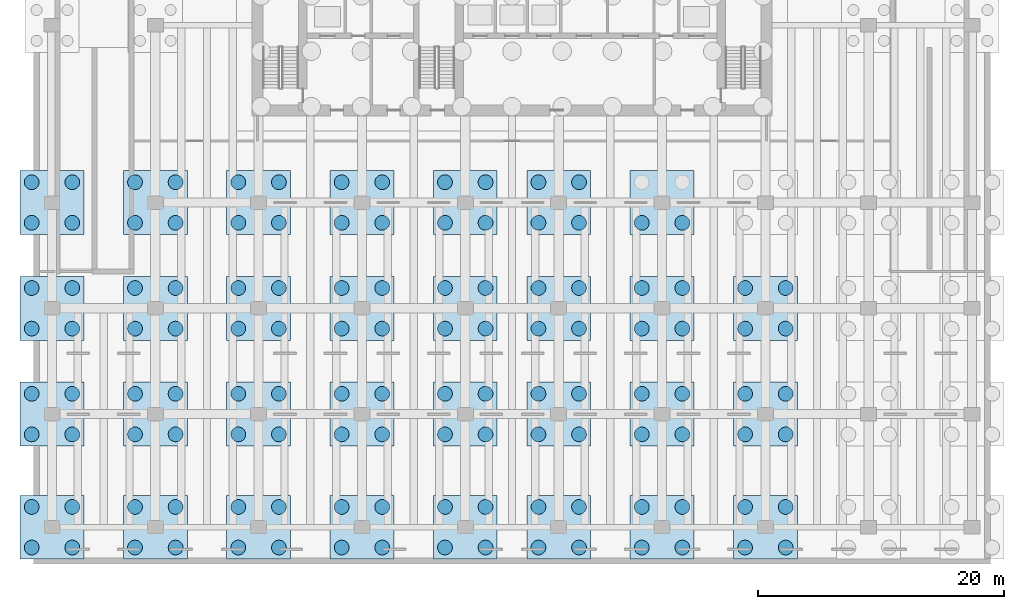
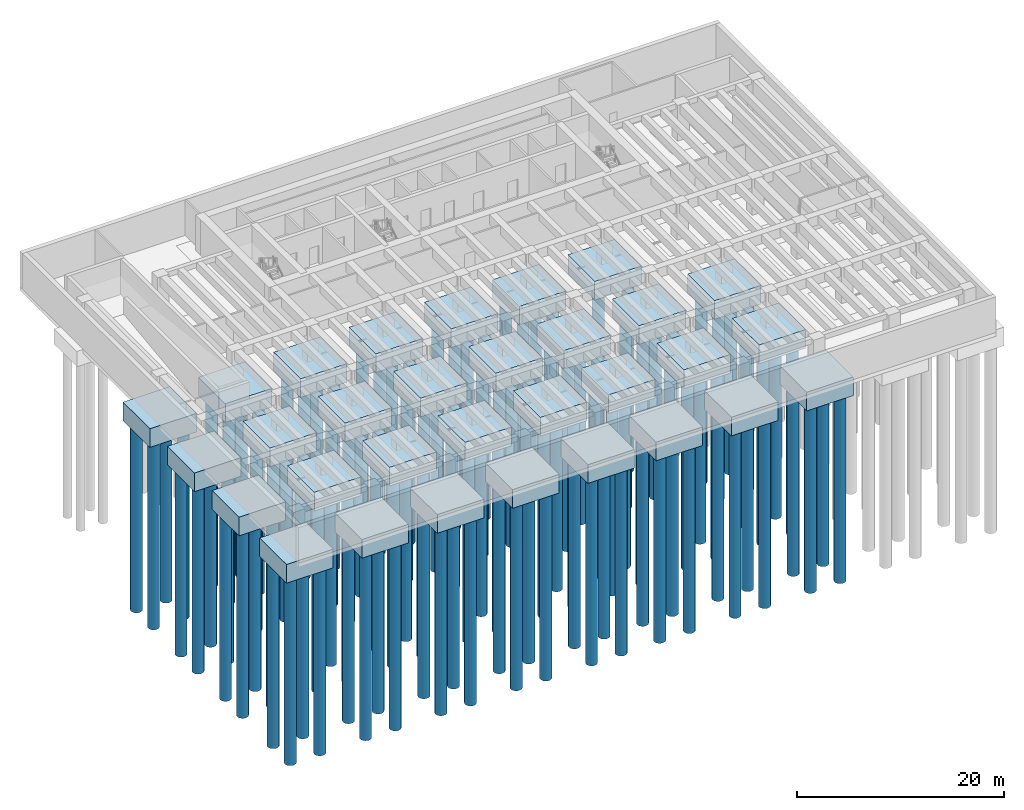
# One storey, part 1 of 10: 122 piles, 31 footings.
"""IFC4 building model written with IfcOpenShell, lengths in metres."""

from ifc_helpers import new_model, si_unit, direction, frame, origin, origin_2d, place, context, subcontext, project, spatial, polyline, circle, outline, extrude, material, material_profile, profile_set, type_object, element, save


model = new_model("IFC4")

# Units and contexts
model_context = context("Model", 3, precision=1e-05, world=origin(), true_north=direction((0.0, 1.0)))
body_context = subcontext(model_context, "Body", "Model", "MODEL_VIEW")
ifc_project = project(units=[si_unit("LENGTHUNIT", "METRE"), si_unit("AREAUNIT", "SQUARE_METRE"), si_unit("VOLUMEUNIT", "CUBIC_METRE"), si_unit("PLANEANGLEUNIT", "RADIAN"), si_unit("MASSUNIT", "GRAM", prefix="KILO")], contexts=[model_context])

# Site, building, storey
site_placement = place(None, origin())
site = spatial("IfcSite", under=ifc_project, at=site_placement, CompositionType="ELEMENT")
building_placement = place(site_placement, origin())
building = spatial("IfcBuilding", under=site, at=building_placement, Name="Caelmar Bay Residences", CompositionType="ELEMENT")
storey_placement = place(building_placement, frame((0.0, 0.0, -9.0)))
storey = spatial("IfcBuildingStorey", under=building, at=storey_placement, Name="B02", CompositionType="ELEMENT", Elevation=-9.0)

# Footings
ifc_material_1 = material(Name="Concrete f'c 40 MPa (6,000 psi)", Category="concrete")
footing_type = type_object("IfcFootingType", Name="FC-PC2-2200", PredefinedType="PILE_CAP", material=ifc_material_1)
footing_1_placement = place(storey_placement, frame((0.0, 0.0, -2.199951171875)))
element("IfcFooting", 1, at=footing_1_placement, inside=storey, type_object=footing_type, Name="Reinforced concrete pile cap CAP-B01", PredefinedType="PILE_CAP", context=body_context, shape_type="SweptSolid", body=[
    extrude(outline(polyline([(-1.10009765625, 0.39990234375), (4.10009765625, 0.39990234375), (4.10009765625, 5.60009765625), (-1.10009765625, 5.60009765625), (-1.10009765625, 0.39990234375)])), origin(), (0.0, 0.0, 1.0), 2.199951171875),
])
footing_2_placement = place(storey_placement, frame((0.0, 0.0, -2.199951171875)))
element("IfcFooting", 2, at=footing_2_placement, inside=storey, type_object=footing_type, Name="Reinforced concrete pile cap CAP-B02", PredefinedType="PILE_CAP", context=body_context, shape_type="SweptSolid", body=[
    extrude(outline(polyline([(7.300048828125, 0.39990234375), (12.5, 0.39990234375), (12.5, 5.60009765625), (7.300048828125, 5.60009765625), (7.300048828125, 0.39990234375)])), origin(), (0.0, 0.0, 1.0), 2.199951171875),
])
footing_3_placement = place(storey_placement, frame((0.0, 0.0, -2.199951171875)))
element("IfcFooting", 3, at=footing_3_placement, inside=storey, type_object=footing_type, Name="Reinforced concrete pile cap CAP-B03", PredefinedType="PILE_CAP", context=body_context, shape_type="SweptSolid", body=[
    extrude(outline(polyline([(15.699951171875, 0.39990234375), (20.89990234375, 0.39990234375), (20.89990234375, 5.60009765625), (15.699951171875, 5.60009765625), (15.699951171875, 0.39990234375)])), origin(), (0.0, 0.0, 1.0), 2.199951171875),
])
footing_4_placement = place(storey_placement, frame((0.0, 0.0, -2.199951171875)))
element("IfcFooting", 4, at=footing_4_placement, inside=storey, type_object=footing_type, Name="Reinforced concrete pile cap CAP-B04", PredefinedType="PILE_CAP", context=body_context, shape_type="SweptSolid", body=[
    extrude(outline(polyline([(24.10009765625, 0.39990234375), (29.300048828125, 0.39990234375), (29.300048828125, 5.60009765625), (24.10009765625, 5.60009765625), (24.10009765625, 0.39990234375)])), origin(), (0.0, 0.0, 1.0), 2.199951171875),
])
footing_5_placement = place(storey_placement, frame((0.0, 0.0, -2.199951171875)))
element("IfcFooting", 5, at=footing_5_placement, inside=storey, type_object=footing_type, Name="Reinforced concrete pile cap CAP-B05", PredefinedType="PILE_CAP", context=body_context, shape_type="SweptSolid", body=[
    extrude(outline(polyline([(32.5, 0.39990234375), (37.699951171875, 0.39990234375), (37.699951171875, 5.60009765625), (32.5, 5.60009765625), (32.5, 0.39990234375)])), origin(), (0.0, 0.0, 1.0), 2.199951171875),
])
footing_6_placement = place(storey_placement, frame((0.0, 0.0, -2.199951171875)))
element("IfcFooting", 6, at=footing_6_placement, inside=storey, type_object=footing_type, Name="Reinforced concrete pile cap CAP-B06", PredefinedType="PILE_CAP", context=body_context, shape_type="SweptSolid", body=[
    extrude(outline(polyline([(40.10009765625, 0.39990234375), (45.300048828125, 0.39990234375), (45.300048828125, 5.60009765625), (40.10009765625, 5.60009765625), (40.10009765625, 0.39990234375)])), origin(), (0.0, 0.0, 1.0), 2.199951171875),
])
footing_7_placement = place(storey_placement, frame((0.0, 0.0, -2.199951171875)))
element("IfcFooting", 7, at=footing_7_placement, inside=storey, type_object=footing_type, Name="Reinforced concrete pile cap CAP-B07", PredefinedType="PILE_CAP", context=body_context, shape_type="SweptSolid", body=[
    extrude(outline(polyline([(48.5, 0.39990234375), (53.699951171875, 0.39990234375), (53.699951171875, 5.60009765625), (48.5, 5.60009765625), (48.5, 0.39990234375)])), origin(), (0.0, 0.0, 1.0), 2.199951171875),
])
footing_8_placement = place(storey_placement, frame((0.0, 0.0, -2.199951171875)))
element("IfcFooting", 8, at=footing_8_placement, inside=storey, type_object=footing_type, Name="Reinforced concrete pile cap CAP-B08", PredefinedType="PILE_CAP", context=body_context, shape_type="SweptSolid", body=[
    extrude(outline(polyline([(56.89990234375, 0.39990234375), (62.10009765625, 0.39990234375), (62.10009765625, 5.60009765625), (56.89990234375, 5.60009765625), (56.89990234375, 0.39990234375)])), origin(), (0.0, 0.0, 1.0), 2.199951171875),
])
footing_9_placement = place(storey_placement, frame((0.0, 0.0, -2.199951171875)))
element("IfcFooting", 9, at=footing_9_placement, inside=storey, type_object=footing_type, Name="Reinforced concrete pile cap CAP-C01", PredefinedType="PILE_CAP", context=body_context, shape_type="SweptSolid", body=[
    extrude(outline(polyline([(-1.10009765625, 9.60009765625), (4.10009765625, 9.60009765625), (4.10009765625, 14.800048828125), (-1.10009765625, 14.800048828125), (-1.10009765625, 9.60009765625)])), origin(), (0.0, 0.0, 1.0), 2.199951171875),
])
footing_10_placement = place(storey_placement, frame((0.0, 0.0, -2.199951171875)))
element("IfcFooting", 10, at=footing_10_placement, inside=storey, type_object=footing_type, Name="Reinforced concrete pile cap CAP-C02", PredefinedType="PILE_CAP", context=body_context, shape_type="SweptSolid", body=[
    extrude(outline(polyline([(7.300048828125, 9.60009765625), (12.5, 9.60009765625), (12.5, 14.800048828125), (7.300048828125, 14.800048828125), (7.300048828125, 9.60009765625)])), origin(), (0.0, 0.0, 1.0), 2.199951171875),
])
footing_11_placement = place(storey_placement, frame((0.0, 0.0, -2.199951171875)))
element("IfcFooting", 11, at=footing_11_placement, inside=storey, type_object=footing_type, Name="Reinforced concrete pile cap CAP-C03", PredefinedType="PILE_CAP", context=body_context, shape_type="SweptSolid", body=[
    extrude(outline(polyline([(15.699951171875, 9.60009765625), (20.89990234375, 9.60009765625), (20.89990234375, 14.800048828125), (15.699951171875, 14.800048828125), (15.699951171875, 9.60009765625)])), origin(), (0.0, 0.0, 1.0), 2.199951171875),
])
footing_12_placement = place(storey_placement, frame((0.0, 0.0, -2.199951171875)))
element("IfcFooting", 12, at=footing_12_placement, inside=storey, type_object=footing_type, Name="Reinforced concrete pile cap CAP-C04", PredefinedType="PILE_CAP", context=body_context, shape_type="SweptSolid", body=[
    extrude(outline(polyline([(24.10009765625, 9.60009765625), (29.300048828125, 9.60009765625), (29.300048828125, 14.800048828125), (24.10009765625, 14.800048828125), (24.10009765625, 9.60009765625)])), origin(), (0.0, 0.0, 1.0), 2.199951171875),
])
footing_13_placement = place(storey_placement, frame((0.0, 0.0, -2.199951171875)))
element("IfcFooting", 13, at=footing_13_placement, inside=storey, type_object=footing_type, Name="Reinforced concrete pile cap CAP-C05", PredefinedType="PILE_CAP", context=body_context, shape_type="SweptSolid", body=[
    extrude(outline(polyline([(32.5, 9.60009765625), (37.699951171875, 9.60009765625), (37.699951171875, 14.800048828125), (32.5, 14.800048828125), (32.5, 9.60009765625)])), origin(), (0.0, 0.0, 1.0), 2.199951171875),
])
footing_14_placement = place(storey_placement, frame((0.0, 0.0, -2.199951171875)))
element("IfcFooting", 14, at=footing_14_placement, inside=storey, type_object=footing_type, Name="Reinforced concrete pile cap CAP-C06", PredefinedType="PILE_CAP", context=body_context, shape_type="SweptSolid", body=[
    extrude(outline(polyline([(40.10009765625, 9.60009765625), (45.300048828125, 9.60009765625), (45.300048828125, 14.800048828125), (40.10009765625, 14.800048828125), (40.10009765625, 9.60009765625)])), origin(), (0.0, 0.0, 1.0), 2.199951171875),
])
footing_15_placement = place(storey_placement, frame((0.0, 0.0, -2.199951171875)))
element("IfcFooting", 15, at=footing_15_placement, inside=storey, type_object=footing_type, Name="Reinforced concrete pile cap CAP-C07", PredefinedType="PILE_CAP", context=body_context, shape_type="SweptSolid", body=[
    extrude(outline(polyline([(48.5, 9.60009765625), (53.699951171875, 9.60009765625), (53.699951171875, 14.800048828125), (48.5, 14.800048828125), (48.5, 9.60009765625)])), origin(), (0.0, 0.0, 1.0), 2.199951171875),
])
footing_16_placement = place(storey_placement, frame((0.0, 0.0, -2.199951171875)))
element("IfcFooting", 16, at=footing_16_placement, inside=storey, type_object=footing_type, Name="Reinforced concrete pile cap CAP-C08", PredefinedType="PILE_CAP", context=body_context, shape_type="SweptSolid", body=[
    extrude(outline(polyline([(56.89990234375, 9.60009765625), (62.10009765625, 9.60009765625), (62.10009765625, 14.800048828125), (56.89990234375, 14.800048828125), (56.89990234375, 9.60009765625)])), origin(), (0.0, 0.0, 1.0), 2.199951171875),
])
footing_17_placement = place(storey_placement, frame((0.0, 0.0, -2.199951171875)))
element("IfcFooting", 17, at=footing_17_placement, inside=storey, type_object=footing_type, Name="Reinforced concrete pile cap CAP-D01", PredefinedType="PILE_CAP", context=body_context, shape_type="SweptSolid", body=[
    extrude(outline(polyline([(-1.10009765625, 18.199951171875), (4.10009765625, 18.199951171875), (4.10009765625, 23.39990234375), (-1.10009765625, 23.39990234375), (-1.10009765625, 18.199951171875)])), origin(), (0.0, 0.0, 1.0), 2.199951171875),
])
footing_18_placement = place(storey_placement, frame((0.0, 0.0, -2.199951171875)))
element("IfcFooting", 18, at=footing_18_placement, inside=storey, type_object=footing_type, Name="Reinforced concrete pile cap CAP-D02", PredefinedType="PILE_CAP", context=body_context, shape_type="SweptSolid", body=[
    extrude(outline(polyline([(7.300048828125, 18.199951171875), (12.5, 18.199951171875), (12.5, 23.39990234375), (7.300048828125, 23.39990234375), (7.300048828125, 18.199951171875)])), origin(), (0.0, 0.0, 1.0), 2.199951171875),
])
footing_19_placement = place(storey_placement, frame((0.0, 0.0, -2.199951171875)))
element("IfcFooting", 19, at=footing_19_placement, inside=storey, type_object=footing_type, Name="Reinforced concrete pile cap CAP-D03", PredefinedType="PILE_CAP", context=body_context, shape_type="SweptSolid", body=[
    extrude(outline(polyline([(15.699951171875, 18.199951171875), (20.89990234375, 18.199951171875), (20.89990234375, 23.39990234375), (15.699951171875, 23.39990234375), (15.699951171875, 18.199951171875)])), origin(), (0.0, 0.0, 1.0), 2.199951171875),
])
footing_20_placement = place(storey_placement, frame((0.0, 0.0, -2.199951171875)))
element("IfcFooting", 20, at=footing_20_placement, inside=storey, type_object=footing_type, Name="Reinforced concrete pile cap CAP-D04", PredefinedType="PILE_CAP", context=body_context, shape_type="SweptSolid", body=[
    extrude(outline(polyline([(24.10009765625, 18.199951171875), (29.300048828125, 18.199951171875), (29.300048828125, 23.39990234375), (24.10009765625, 23.39990234375), (24.10009765625, 18.199951171875)])), origin(), (0.0, 0.0, 1.0), 2.199951171875),
])
footing_21_placement = place(storey_placement, frame((0.0, 0.0, -2.199951171875)))
element("IfcFooting", 21, at=footing_21_placement, inside=storey, type_object=footing_type, Name="Reinforced concrete pile cap CAP-D05", PredefinedType="PILE_CAP", context=body_context, shape_type="SweptSolid", body=[
    extrude(outline(polyline([(32.5, 18.199951171875), (37.699951171875, 18.199951171875), (37.699951171875, 23.39990234375), (32.5, 23.39990234375), (32.5, 18.199951171875)])), origin(), (0.0, 0.0, 1.0), 2.199951171875),
])
footing_22_placement = place(storey_placement, frame((0.0, 0.0, -2.199951171875)))
element("IfcFooting", 22, at=footing_22_placement, inside=storey, type_object=footing_type, Name="Reinforced concrete pile cap CAP-D06", PredefinedType="PILE_CAP", context=body_context, shape_type="SweptSolid", body=[
    extrude(outline(polyline([(40.10009765625, 18.199951171875), (45.300048828125, 18.199951171875), (45.300048828125, 23.39990234375), (40.10009765625, 23.39990234375), (40.10009765625, 18.199951171875)])), origin(), (0.0, 0.0, 1.0), 2.199951171875),
])
footing_23_placement = place(storey_placement, frame((0.0, 0.0, -2.199951171875)))
element("IfcFooting", 23, at=footing_23_placement, inside=storey, type_object=footing_type, Name="Reinforced concrete pile cap CAP-D07", PredefinedType="PILE_CAP", context=body_context, shape_type="SweptSolid", body=[
    extrude(outline(polyline([(48.5, 18.199951171875), (53.699951171875, 18.199951171875), (53.699951171875, 23.39990234375), (48.5, 23.39990234375), (48.5, 18.199951171875)])), origin(), (0.0, 0.0, 1.0), 2.199951171875),
])
footing_24_placement = place(storey_placement, frame((0.0, 0.0, -2.199951171875)))
element("IfcFooting", 24, at=footing_24_placement, inside=storey, type_object=footing_type, Name="Reinforced concrete pile cap CAP-D08", PredefinedType="PILE_CAP", context=body_context, shape_type="SweptSolid", body=[
    extrude(outline(polyline([(56.89990234375, 18.199951171875), (62.10009765625, 18.199951171875), (62.10009765625, 23.39990234375), (56.89990234375, 23.39990234375), (56.89990234375, 18.199951171875)])), origin(), (0.0, 0.0, 1.0), 2.199951171875),
])
footing_25_placement = place(storey_placement, frame((0.0, 0.0, -2.199951171875)))
element("IfcFooting", 25, at=footing_25_placement, inside=storey, type_object=footing_type, Name="Reinforced concrete pile cap CAP-E01", PredefinedType="PILE_CAP", context=body_context, shape_type="SweptSolid", body=[
    extrude(outline(polyline([(-1.10009765625, 26.800048828125), (4.10009765625, 26.800048828125), (4.10009765625, 32.0), (-1.10009765625, 32.0), (-1.10009765625, 26.800048828125)])), origin(), (0.0, 0.0, 1.0), 2.199951171875),
])
footing_26_placement = place(storey_placement, frame((0.0, 0.0, -2.199951171875)))
element("IfcFooting", 26, at=footing_26_placement, inside=storey, type_object=footing_type, Name="Reinforced concrete pile cap CAP-E02", PredefinedType="PILE_CAP", context=body_context, shape_type="SweptSolid", body=[
    extrude(outline(polyline([(7.300048828125, 26.800048828125), (12.5, 26.800048828125), (12.5, 32.0), (7.300048828125, 32.0), (7.300048828125, 26.800048828125)])), origin(), (0.0, 0.0, 1.0), 2.199951171875),
])
footing_27_placement = place(storey_placement, frame((0.0, 0.0, -2.199951171875)))
element("IfcFooting", 27, at=footing_27_placement, inside=storey, type_object=footing_type, Name="Reinforced concrete pile cap CAP-E03", PredefinedType="PILE_CAP", context=body_context, shape_type="SweptSolid", body=[
    extrude(outline(polyline([(15.699951171875, 26.800048828125), (20.89990234375, 26.800048828125), (20.89990234375, 32.0), (15.699951171875, 32.0), (15.699951171875, 26.800048828125)])), origin(), (0.0, 0.0, 1.0), 2.199951171875),
])
footing_28_placement = place(storey_placement, frame((0.0, 0.0, -2.199951171875)))
element("IfcFooting", 28, at=footing_28_placement, inside=storey, type_object=footing_type, Name="Reinforced concrete pile cap CAP-E04", PredefinedType="PILE_CAP", context=body_context, shape_type="SweptSolid", body=[
    extrude(outline(polyline([(24.10009765625, 26.800048828125), (29.300048828125, 26.800048828125), (29.300048828125, 32.0), (24.10009765625, 32.0), (24.10009765625, 26.800048828125)])), origin(), (0.0, 0.0, 1.0), 2.199951171875),
])
footing_29_placement = place(storey_placement, frame((0.0, 0.0, -2.199951171875)))
element("IfcFooting", 29, at=footing_29_placement, inside=storey, type_object=footing_type, Name="Reinforced concrete pile cap CAP-E05", PredefinedType="PILE_CAP", context=body_context, shape_type="SweptSolid", body=[
    extrude(outline(polyline([(32.5, 26.800048828125), (37.699951171875, 26.800048828125), (37.699951171875, 32.0), (32.5, 32.0), (32.5, 26.800048828125)])), origin(), (0.0, 0.0, 1.0), 2.199951171875),
])
footing_30_placement = place(storey_placement, frame((0.0, 0.0, -2.199951171875)))
element("IfcFooting", 30, at=footing_30_placement, inside=storey, type_object=footing_type, Name="Reinforced concrete pile cap CAP-E06", PredefinedType="PILE_CAP", context=body_context, shape_type="SweptSolid", body=[
    extrude(outline(polyline([(40.10009765625, 26.800048828125), (45.300048828125, 26.800048828125), (45.300048828125, 32.0), (40.10009765625, 32.0), (40.10009765625, 26.800048828125)])), origin(), (0.0, 0.0, 1.0), 2.199951171875),
])
footing_31_placement = place(storey_placement, frame((0.0, 0.0, -2.199951171875)))
element("IfcFooting", 31, at=footing_31_placement, inside=storey, type_object=footing_type, Name="Reinforced concrete pile cap CAP-E07", PredefinedType="PILE_CAP", context=body_context, shape_type="SweptSolid", body=[
    extrude(outline(polyline([(48.5, 26.800048828125), (53.699951171875, 26.800048828125), (53.699951171875, 32.0), (48.5, 32.0), (48.5, 26.800048828125)])), origin(), (0.0, 0.0, 1.0), 2.199951171875),
])

# Piles
ifc_material_2 = material(Name="Tremie concrete f'c 40 MPa (6,000 psi)", Category="concrete")
ifc_material_profile = material_profile(ifc_material_2, circle(Radius=0.60009765625, at=origin_2d()), Name="PILE-1200D")
ifc_profile_set = profile_set([ifc_material_profile], Name="Tremie concrete f'c 40 MPa (6,000 psi)")
pile_type = type_object("IfcPileType", Name="PL-1200", PredefinedType="BORED", material=ifc_profile_set)
for number, where, z_axis, x_axis, name in (
    (32, (-0.14990234375, 1.35009765625, -2.10009765625), (0.0, 0.0, -1.0), (1.0, 0.0, 0.0), "Rock-socketed bored pile PILE-045"),
    (33, (-0.14990234375, 4.64990234375, -2.10009765625), (0.0, 0.0, -1.0), (1.0, 0.0, 0.0), "Rock-socketed bored pile PILE-046"),
    (34, (3.14990234375, 1.35009765625, -2.10009765625), (0.0, 0.0, -1.0), (1.0, 0.0, 0.0), "Rock-socketed bored pile PILE-047"),
    (35, (3.14990234375, 4.64990234375, -2.10009765625), (0.0, 0.0, -1.0), (1.0, 0.0, 0.0), "Rock-socketed bored pile PILE-048"),
    (36, (8.25, 1.35009765625, -2.10009765625), (0.0, 0.0, -1.0), (1.0, 0.0, 0.0), "Rock-socketed bored pile PILE-049"),
    (37, (8.25, 4.64990234375, -2.10009765625), (0.0, 0.0, -1.0), (1.0, 0.0, 0.0), "Rock-socketed bored pile PILE-050"),
    (38, (11.550048828125, 1.35009765625, -2.10009765625), (0.0, 0.0, -1.0), (1.0, 0.0, 0.0), "Rock-socketed bored pile PILE-051"),
    (39, (11.550048828125, 4.64990234375, -2.10009765625), (0.0, 0.0, -1.0), (1.0, 0.0, 0.0), "Rock-socketed bored pile PILE-052"),
    (40, (16.64990234375, 1.35009765625, -2.10009765625), (0.0, 0.0, -1.0), (1.0, 0.0, 0.0), "Rock-socketed bored pile PILE-053"),
    (41, (16.64990234375, 4.64990234375, -2.10009765625), (0.0, 0.0, -1.0), (1.0, 0.0, 0.0), "Rock-socketed bored pile PILE-054"),
    (42, (19.949951171875, 1.35009765625, -2.10009765625), (0.0, 0.0, -1.0), (1.0, 0.0, 0.0), "Rock-socketed bored pile PILE-055"),
    (43, (19.949951171875, 4.64990234375, -2.10009765625), (0.0, 0.0, -1.0), (1.0, 0.0, 0.0), "Rock-socketed bored pile PILE-056"),
    (44, (25.050048828125, 1.35009765625, -2.10009765625), (0.0, 0.0, -1.0), (1.0, 0.0, 0.0), "Rock-socketed bored pile PILE-057"),
    (45, (25.050048828125, 4.64990234375, -2.10009765625), (0.0, 0.0, -1.0), (1.0, 0.0, 0.0), "Rock-socketed bored pile PILE-058"),
    (46, (28.35009765625, 1.35009765625, -2.10009765625), (0.0, 0.0, -1.0), (1.0, 0.0, 0.0), "Rock-socketed bored pile PILE-059"),
    (47, (28.35009765625, 4.64990234375, -2.10009765625), (0.0, 0.0, -1.0), (1.0, 0.0, 0.0), "Rock-socketed bored pile PILE-060"),
    (48, (33.449951171875, 1.35009765625, -2.10009765625), (0.0, 0.0, -1.0), (1.0, 0.0, 0.0), "Rock-socketed bored pile PILE-061"),
    (49, (33.449951171875, 4.64990234375, -2.10009765625), (0.0, 0.0, -1.0), (1.0, 0.0, 0.0), "Rock-socketed bored pile PILE-062"),
    (50, (36.75, 1.35009765625, -2.10009765625), (0.0, 0.0, -1.0), (1.0, 0.0, 0.0), "Rock-socketed bored pile PILE-063"),
    (51, (36.75, 4.64990234375, -2.10009765625), (0.0, 0.0, -1.0), (1.0, 0.0, 0.0), "Rock-socketed bored pile PILE-064"),
    (52, (41.050048828125, 1.35009765625, -2.10009765625), (0.0, 0.0, -1.0), (1.0, 0.0, 0.0), "Rock-socketed bored pile PILE-065"),
    (53, (41.050048828125, 4.64990234375, -2.10009765625), (0.0, 0.0, -1.0), (1.0, 0.0, 0.0), "Rock-socketed bored pile PILE-066"),
    (54, (44.35009765625, 1.35009765625, -2.10009765625), (0.0, 0.0, -1.0), (1.0, 0.0, 0.0), "Rock-socketed bored pile PILE-067"),
    (55, (44.35009765625, 4.64990234375, -2.10009765625), (0.0, 0.0, -1.0), (1.0, 0.0, 0.0), "Rock-socketed bored pile PILE-068"),
    (56, (49.449951171875, 1.35009765625, -2.10009765625), (0.0, 0.0, -1.0), (1.0, 0.0, 0.0), "Rock-socketed bored pile PILE-069"),
    (57, (49.449951171875, 4.64990234375, -2.10009765625), (0.0, 0.0, -1.0), (1.0, 0.0, 0.0), "Rock-socketed bored pile PILE-070"),
    (58, (52.75, 1.35009765625, -2.10009765625), (0.0, 0.0, -1.0), (1.0, 0.0, 0.0), "Rock-socketed bored pile PILE-071"),
    (59, (52.75, 4.64990234375, -2.10009765625), (0.0, 0.0, -1.0), (1.0, 0.0, 0.0), "Rock-socketed bored pile PILE-072"),
    (60, (57.85009765625, 1.35009765625, -2.10009765625), (0.0, 0.0, -1.0), (1.0, 0.0, 0.0), "Rock-socketed bored pile PILE-073"),
    (61, (57.85009765625, 4.64990234375, -2.10009765625), (0.0, 0.0, -1.0), (1.0, 0.0, 0.0), "Rock-socketed bored pile PILE-074"),
    (62, (61.14990234375, 1.35009765625, -2.10009765625), (0.0, 0.0, -1.0), (1.0, 0.0, 0.0), "Rock-socketed bored pile PILE-075"),
    (63, (61.14990234375, 4.64990234375, -2.10009765625), (0.0, 0.0, -1.0), (1.0, 0.0, 0.0), "Rock-socketed bored pile PILE-076"),
    (64, (-0.14990234375, 10.550048828125, -2.10009765625), (0.0, 0.0, -1.0), (1.0, 0.0, 0.0), "Rock-socketed bored pile PILE-085"),
    (65, (-0.14990234375, 13.85009765625, -2.10009765625), (0.0, 0.0, -1.0), (1.0, 0.0, 0.0), "Rock-socketed bored pile PILE-086"),
    (66, (3.14990234375, 10.550048828125, -2.10009765625), (0.0, 0.0, -1.0), (1.0, 0.0, 0.0), "Rock-socketed bored pile PILE-087"),
    (67, (3.14990234375, 13.85009765625, -2.10009765625), (0.0, 0.0, -1.0), (1.0, 0.0, 0.0), "Rock-socketed bored pile PILE-088"),
    (68, (8.25, 10.550048828125, -2.10009765625), (0.0, 0.0, -1.0), (1.0, 0.0, 0.0), "Rock-socketed bored pile PILE-089"),
    (69, (8.25, 13.85009765625, -2.10009765625), (0.0, 0.0, -1.0), (1.0, 0.0, 0.0), "Rock-socketed bored pile PILE-090"),
    (70, (11.550048828125, 10.550048828125, -2.10009765625), (0.0, 0.0, -1.0), (1.0, 0.0, 0.0), "Rock-socketed bored pile PILE-091"),
    (71, (11.550048828125, 13.85009765625, -2.10009765625), (0.0, 0.0, -1.0), (1.0, 0.0, 0.0), "Rock-socketed bored pile PILE-092"),
    (72, (16.64990234375, 10.550048828125, -2.10009765625), (0.0, 0.0, -1.0), (1.0, 0.0, 0.0), "Rock-socketed bored pile PILE-093"),
    (73, (16.64990234375, 13.85009765625, -2.10009765625), (0.0, 0.0, -1.0), (1.0, 0.0, 0.0), "Rock-socketed bored pile PILE-094"),
    (74, (19.949951171875, 10.550048828125, -2.10009765625), (0.0, 0.0, -1.0), (1.0, 0.0, 0.0), "Rock-socketed bored pile PILE-095"),
    (75, (19.949951171875, 13.85009765625, -2.10009765625), (0.0, 0.0, -1.0), (1.0, 0.0, 0.0), "Rock-socketed bored pile PILE-096"),
    (76, (25.050048828125, 10.550048828125, -2.10009765625), (0.0, 0.0, -1.0), (1.0, 0.0, 0.0), "Rock-socketed bored pile PILE-097"),
    (77, (25.050048828125, 13.85009765625, -2.10009765625), (0.0, 0.0, -1.0), (1.0, 0.0, 0.0), "Rock-socketed bored pile PILE-098"),
    (78, (28.35009765625, 10.550048828125, -2.10009765625), (0.0, 0.0, -1.0), (1.0, 0.0, 0.0), "Rock-socketed bored pile PILE-099"),
    (79, (28.35009765625, 13.85009765625, -2.10009765625), (0.0, 0.0, -1.0), (1.0, 0.0, 0.0), "Rock-socketed bored pile PILE-100"),
    (80, (33.449951171875, 10.550048828125, -2.10009765625), (0.0, 0.0, -1.0), (1.0, 0.0, 0.0), "Rock-socketed bored pile PILE-101"),
    (81, (33.449951171875, 13.85009765625, -2.10009765625), (0.0, 0.0, -1.0), (1.0, 0.0, 0.0), "Rock-socketed bored pile PILE-102"),
    (82, (36.75, 10.550048828125, -2.10009765625), (0.0, 0.0, -1.0), (1.0, 0.0, 0.0), "Rock-socketed bored pile PILE-103"),
    (83, (36.75, 13.85009765625, -2.10009765625), (0.0, 0.0, -1.0), (1.0, 0.0, 0.0), "Rock-socketed bored pile PILE-104"),
    (84, (41.050048828125, 10.550048828125, -2.10009765625), (0.0, 0.0, -1.0), (1.0, 0.0, 0.0), "Rock-socketed bored pile PILE-105"),
    (85, (41.050048828125, 13.85009765625, -2.10009765625), (0.0, 0.0, -1.0), (1.0, 0.0, 0.0), "Rock-socketed bored pile PILE-106"),
    (86, (44.35009765625, 10.550048828125, -2.10009765625), (0.0, 0.0, -1.0), (1.0, 0.0, 0.0), "Rock-socketed bored pile PILE-107"),
    (87, (44.35009765625, 13.85009765625, -2.10009765625), (0.0, 0.0, -1.0), (1.0, 0.0, 0.0), "Rock-socketed bored pile PILE-108"),
    (88, (49.449951171875, 10.550048828125, -2.10009765625), (0.0, 0.0, -1.0), (1.0, 0.0, 0.0), "Rock-socketed bored pile PILE-109"),
    (89, (49.449951171875, 13.85009765625, -2.10009765625), (0.0, 0.0, -1.0), (1.0, 0.0, 0.0), "Rock-socketed bored pile PILE-110"),
    (90, (52.75, 10.550048828125, -2.10009765625), (0.0, 0.0, -1.0), (1.0, 0.0, 0.0), "Rock-socketed bored pile PILE-111"),
    (91, (52.75, 13.85009765625, -2.10009765625), (0.0, 0.0, -1.0), (1.0, 0.0, 0.0), "Rock-socketed bored pile PILE-112"),
    (92, (57.85009765625, 10.550048828125, -2.10009765625), (0.0, 0.0, -1.0), (1.0, 0.0, 0.0), "Rock-socketed bored pile PILE-113"),
    (93, (57.85009765625, 13.85009765625, -2.10009765625), (0.0, 0.0, -1.0), (1.0, 0.0, 0.0), "Rock-socketed bored pile PILE-114"),
    (94, (61.14990234375, 10.550048828125, -2.10009765625), (0.0, 0.0, -1.0), (1.0, 0.0, 0.0), "Rock-socketed bored pile PILE-115"),
    (95, (61.14990234375, 13.85009765625, -2.10009765625), (0.0, 0.0, -1.0), (1.0, 0.0, 0.0), "Rock-socketed bored pile PILE-116"),
    (96, (-0.14990234375, 19.14990234375, -2.10009765625), (0.0, 0.0, -1.0), (1.0, 0.0, 0.0), "Rock-socketed bored pile PILE-125"),
    (97, (-0.14990234375, 22.449951171875, -2.10009765625), (0.0, 0.0, -1.0), (1.0, 0.0, 0.0), "Rock-socketed bored pile PILE-126"),
    (98, (3.14990234375, 19.14990234375, -2.10009765625), (0.0, 0.0, -1.0), (1.0, 0.0, 0.0), "Rock-socketed bored pile PILE-127"),
    (99, (3.14990234375, 22.449951171875, -2.10009765625), (0.0, 0.0, -1.0), (1.0, 0.0, 0.0), "Rock-socketed bored pile PILE-128"),
    (100, (8.25, 19.14990234375, -2.10009765625), (0.0, 0.0, -1.0), (1.0, 0.0, 0.0), "Rock-socketed bored pile PILE-129"),
    (101, (8.25, 22.449951171875, -2.10009765625), (0.0, 0.0, -1.0), (1.0, 0.0, 0.0), "Rock-socketed bored pile PILE-130"),
    (102, (11.550048828125, 19.14990234375, -2.10009765625), (0.0, 0.0, -1.0), (1.0, 0.0, 0.0), "Rock-socketed bored pile PILE-131"),
    (103, (11.550048828125, 22.449951171875, -2.10009765625), (0.0, 0.0, -1.0), (1.0, 0.0, 0.0), "Rock-socketed bored pile PILE-132"),
    (104, (16.64990234375, 19.14990234375, -2.10009765625), (0.0, 0.0, -1.0), (1.0, 0.0, 0.0), "Rock-socketed bored pile PILE-133"),
    (105, (16.64990234375, 22.449951171875, -2.10009765625), (0.0, 0.0, -1.0), (1.0, 0.0, 0.0), "Rock-socketed bored pile PILE-134"),
    (106, (19.949951171875, 19.14990234375, -2.10009765625), (0.0, 0.0, -1.0), (1.0, 0.0, 0.0), "Rock-socketed bored pile PILE-135"),
    (107, (19.949951171875, 22.449951171875, -2.10009765625), (0.0, 0.0, -1.0), (1.0, 0.0, 0.0), "Rock-socketed bored pile PILE-136"),
    (108, (25.050048828125, 19.14990234375, -2.10009765625), (0.0, 0.0, -1.0), (1.0, 0.0, 0.0), "Rock-socketed bored pile PILE-137"),
    (109, (25.050048828125, 22.449951171875, -2.10009765625), (0.0, 0.0, -1.0), (1.0, 0.0, 0.0), "Rock-socketed bored pile PILE-138"),
    (110, (28.35009765625, 19.14990234375, -2.10009765625), (0.0, 0.0, -1.0), (1.0, 0.0, 0.0), "Rock-socketed bored pile PILE-139"),
    (111, (28.35009765625, 22.449951171875, -2.10009765625), (0.0, 0.0, -1.0), (1.0, 0.0, 0.0), "Rock-socketed bored pile PILE-140"),
    (112, (33.449951171875, 19.14990234375, -2.10009765625), (0.0, 0.0, -1.0), (1.0, 0.0, 0.0), "Rock-socketed bored pile PILE-141"),
    (113, (33.449951171875, 22.449951171875, -2.10009765625), (0.0, 0.0, -1.0), (1.0, 0.0, 0.0), "Rock-socketed bored pile PILE-142"),
    (114, (36.75, 19.14990234375, -2.10009765625), (0.0, 0.0, -1.0), (1.0, 0.0, 0.0), "Rock-socketed bored pile PILE-143"),
    (115, (36.75, 22.449951171875, -2.10009765625), (0.0, 0.0, -1.0), (1.0, 0.0, 0.0), "Rock-socketed bored pile PILE-144"),
    (116, (41.050048828125, 19.14990234375, -2.10009765625), (0.0, 0.0, -1.0), (1.0, 0.0, 0.0), "Rock-socketed bored pile PILE-145"),
    (117, (41.050048828125, 22.449951171875, -2.10009765625), (0.0, 0.0, -1.0), (1.0, 0.0, 0.0), "Rock-socketed bored pile PILE-146"),
    (118, (44.35009765625, 19.14990234375, -2.10009765625), (0.0, 0.0, -1.0), (1.0, 0.0, 0.0), "Rock-socketed bored pile PILE-147"),
    (119, (44.35009765625, 22.449951171875, -2.10009765625), (0.0, 0.0, -1.0), (1.0, 0.0, 0.0), "Rock-socketed bored pile PILE-148"),
    (120, (49.449951171875, 19.14990234375, -2.10009765625), (0.0, 0.0, -1.0), (1.0, 0.0, 0.0), "Rock-socketed bored pile PILE-149"),
    (121, (49.449951171875, 22.449951171875, -2.10009765625), (0.0, 0.0, -1.0), (1.0, 0.0, 0.0), "Rock-socketed bored pile PILE-150"),
    (122, (52.75, 19.14990234375, -2.10009765625), (0.0, 0.0, -1.0), (1.0, 0.0, 0.0), "Rock-socketed bored pile PILE-151"),
    (123, (52.75, 22.449951171875, -2.10009765625), (0.0, 0.0, -1.0), (1.0, 0.0, 0.0), "Rock-socketed bored pile PILE-152"),
    (124, (57.85009765625, 19.14990234375, -2.10009765625), (0.0, 0.0, -1.0), (1.0, 0.0, 0.0), "Rock-socketed bored pile PILE-153"),
    (125, (57.85009765625, 22.449951171875, -2.10009765625), (0.0, 0.0, -1.0), (1.0, 0.0, 0.0), "Rock-socketed bored pile PILE-154"),
    (126, (61.14990234375, 19.14990234375, -2.10009765625), (0.0, 0.0, -1.0), (1.0, 0.0, 0.0), "Rock-socketed bored pile PILE-155"),
    (127, (61.14990234375, 22.449951171875, -2.10009765625), (0.0, 0.0, -1.0), (1.0, 0.0, 0.0), "Rock-socketed bored pile PILE-156"),
    (128, (-0.14990234375, 27.75, -2.10009765625), (0.0, 0.0, -1.0), (1.0, 0.0, 0.0), "Rock-socketed bored pile PILE-165"),
    (129, (-0.14990234375, 31.050048828125, -2.10009765625), (0.0, 0.0, -1.0), (1.0, 0.0, 0.0), "Rock-socketed bored pile PILE-166"),
    (130, (3.14990234375, 27.75, -2.10009765625), (0.0, 0.0, -1.0), (1.0, 0.0, 0.0), "Rock-socketed bored pile PILE-167"),
    (131, (3.14990234375, 31.050048828125, -2.10009765625), (0.0, 0.0, -1.0), (1.0, 0.0, 0.0), "Rock-socketed bored pile PILE-168"),
    (132, (8.25, 27.75, -2.10009765625), (0.0, 0.0, -1.0), (1.0, 0.0, 0.0), "Rock-socketed bored pile PILE-169"),
    (133, (8.25, 31.050048828125, -2.10009765625), (0.0, 0.0, -1.0), (1.0, 0.0, 0.0), "Rock-socketed bored pile PILE-170"),
    (134, (11.550048828125, 27.75, -2.10009765625), (0.0, 0.0, -1.0), (1.0, 0.0, 0.0), "Rock-socketed bored pile PILE-171"),
    (135, (11.550048828125, 31.050048828125, -2.10009765625), (0.0, 0.0, -1.0), (1.0, 0.0, 0.0), "Rock-socketed bored pile PILE-172"),
    (136, (16.64990234375, 27.75, -2.10009765625), (0.0, 0.0, -1.0), (1.0, 0.0, 0.0), "Rock-socketed bored pile PILE-173"),
    (137, (16.64990234375, 31.050048828125, -2.10009765625), (0.0, 0.0, -1.0), (1.0, 0.0, 0.0), "Rock-socketed bored pile PILE-174"),
    (138, (19.949951171875, 27.75, -2.10009765625), (0.0, 0.0, -1.0), (1.0, 0.0, 0.0), "Rock-socketed bored pile PILE-175"),
    (139, (19.949951171875, 31.050048828125, -2.10009765625), (0.0, 0.0, -1.0), (1.0, 0.0, 0.0), "Rock-socketed bored pile PILE-176"),
    (140, (25.050048828125, 27.75, -2.10009765625), (0.0, 0.0, -1.0), (1.0, 0.0, 0.0), "Rock-socketed bored pile PILE-177"),
    (141, (25.050048828125, 31.050048828125, -2.10009765625), (0.0, 0.0, -1.0), (1.0, 0.0, 0.0), "Rock-socketed bored pile PILE-178"),
    (142, (28.35009765625, 27.75, -2.10009765625), (0.0, 0.0, -1.0), (1.0, 0.0, 0.0), "Rock-socketed bored pile PILE-179"),
    (143, (28.35009765625, 31.050048828125, -2.10009765625), (0.0, 0.0, -1.0), (1.0, 0.0, 0.0), "Rock-socketed bored pile PILE-180"),
    (144, (33.449951171875, 27.75, -2.10009765625), (0.0, 0.0, -1.0), (1.0, 0.0, 0.0), "Rock-socketed bored pile PILE-181"),
    (145, (33.449951171875, 31.050048828125, -2.10009765625), (0.0, 0.0, -1.0), (1.0, 0.0, 0.0), "Rock-socketed bored pile PILE-182"),
    (146, (36.75, 27.75, -2.10009765625), (0.0, 0.0, -1.0), (1.0, 0.0, 0.0), "Rock-socketed bored pile PILE-183"),
    (147, (36.75, 31.050048828125, -2.10009765625), (0.0, 0.0, -1.0), (1.0, 0.0, 0.0), "Rock-socketed bored pile PILE-184"),
    (148, (41.050048828125, 27.75, -2.10009765625), (0.0, 0.0, -1.0), (1.0, 0.0, 0.0), "Rock-socketed bored pile PILE-185"),
    (149, (41.050048828125, 31.050048828125, -2.10009765625), (0.0, 0.0, -1.0), (1.0, 0.0, 0.0), "Rock-socketed bored pile PILE-186"),
    (150, (44.35009765625, 27.75, -2.10009765625), (0.0, 0.0, -1.0), (1.0, 0.0, 0.0), "Rock-socketed bored pile PILE-187"),
    (151, (44.35009765625, 31.050048828125, -2.10009765625), (0.0, 0.0, -1.0), (1.0, 0.0, 0.0), "Rock-socketed bored pile PILE-188"),
    (152, (49.449951171875, 27.75, -2.10009765625), (0.0, 0.0, -1.0), (1.0, 0.0, 0.0), "Rock-socketed bored pile PILE-189"),
    (153, (52.75, 27.75, -2.10009765625), (0.0, 0.0, -1.0), (1.0, 0.0, 0.0), "Rock-socketed bored pile PILE-191"),
):
    element("IfcPile", number, at=place(storey_placement, frame(where, z_axis=z_axis, x_axis=x_axis)), inside=storey, type_object=pile_type, Name=name, PredefinedType="BORED", context=body_context, shape_type="SweptSolid", body=[
        extrude(circle(Radius=0.60009765625, at=origin_2d()), origin(), (0.0, 0.0, 1.0), 22.10009765625),
    ])

save(model, "model.ifc")
